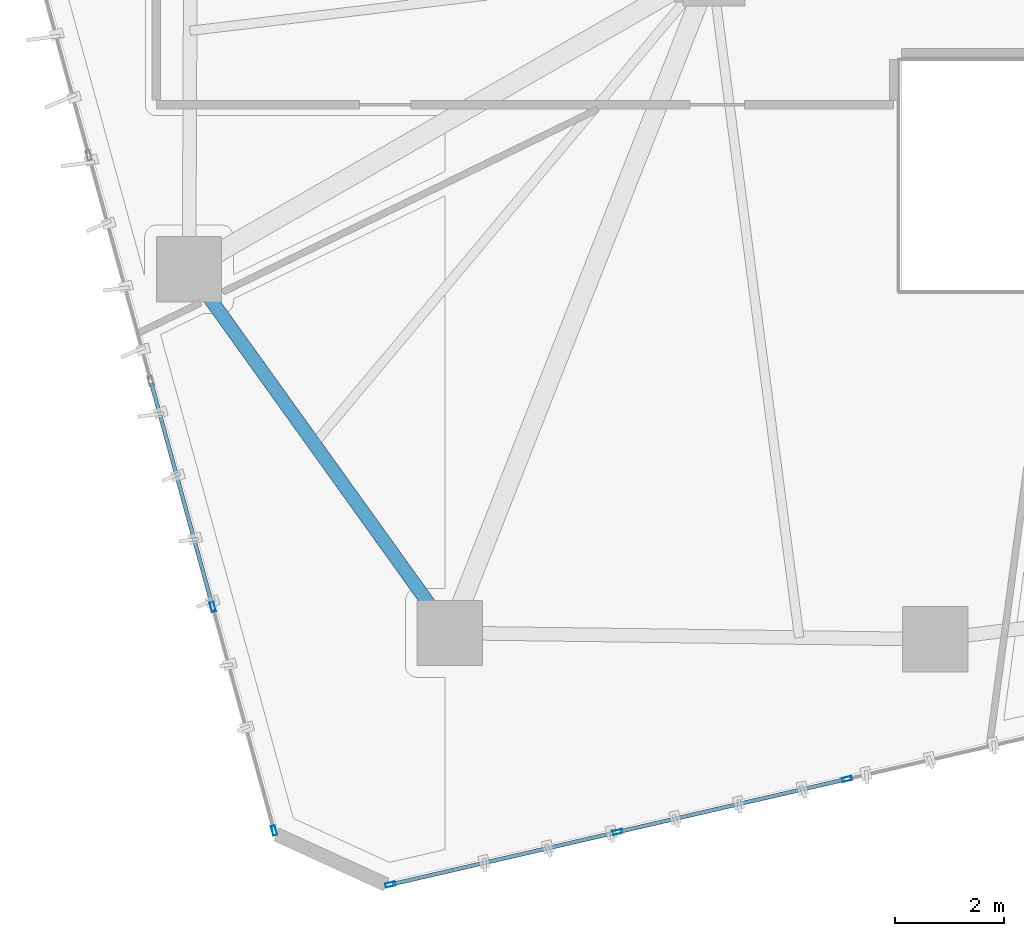
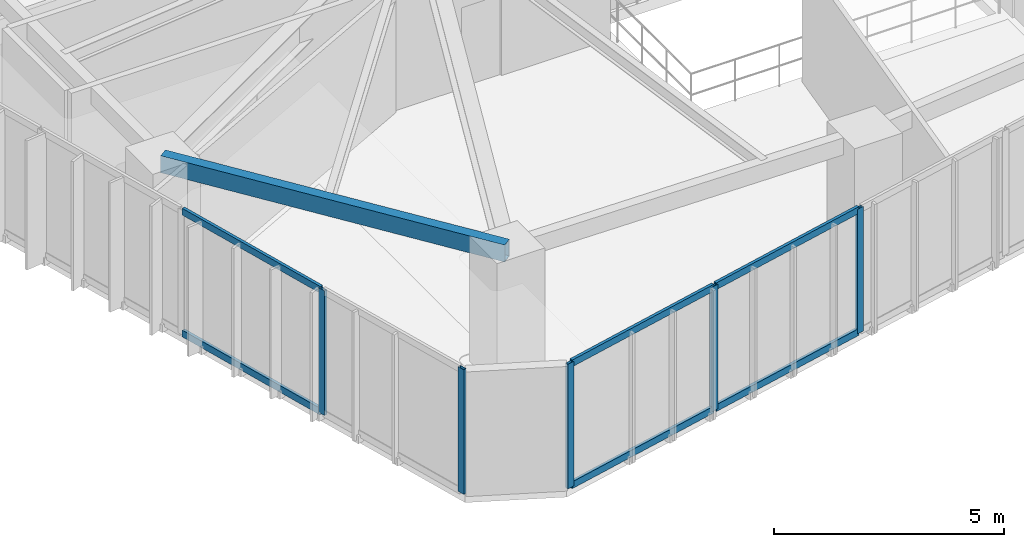
# One storey, part 2 of 21: 11 members, 1 beam, 2 elements without a shape of their own.
"""IFC4 building model written with IfcOpenShell, lengths in metres."""

from ifc_helpers import new_model, si_unit, direction, frame, origin, origin_2d, place, context, subcontext, project, spatial, hollow_rectangle, extrude, source, transform, mapped, material, layer, layer_set, material_profile, profile_set, type_object, type_shapes, element, aggregate, save


model = new_model("IFC4")

# Units and contexts
model_context = context("Model", 3, precision=1e-05, world=origin(), true_north=direction((0.0, 1.0)))
body_context = subcontext(model_context, "Body", "Model", "MODEL_VIEW")
ifc_project = project(units=[si_unit("LENGTHUNIT", "METRE"), si_unit("AREAUNIT", "SQUARE_METRE"), si_unit("VOLUMEUNIT", "CUBIC_METRE"), si_unit("PLANEANGLEUNIT", "RADIAN"), si_unit("MASSUNIT", "GRAM", prefix="KILO")], contexts=[model_context])

# Site, building, storey
site_placement = place(None, origin())
site = spatial("IfcSite", under=ifc_project, at=site_placement, CompositionType="ELEMENT")
building_placement = place(site_placement, origin())
building = spatial("IfcBuilding", under=site, at=building_placement, Name="Talar Marvaseh", CompositionType="ELEMENT")
storey_placement = place(building_placement, frame((0.0, 0.0, 129.0)))
storey = spatial("IfcBuildingStorey", under=building, at=storey_placement, Name="L33", CompositionType="ELEMENT", Elevation=129.0)

# Beam
ifc_material_1 = material(Name="Steel S355", Category="steel")
ifc_material_profile_1 = material_profile(ifc_material_1, hollow_rectangle(XDim=0.25, YDim=0.449951171875, WallThickness=0.01611328125, at=origin_2d()), Name="RHS450x250x16")
ifc_profile_set_1 = profile_set([ifc_material_profile_1], Name="Steel S355")
beam_type = type_object("IfcBeamType", Name="Zone 2 Perimeter Spandrel Beam RHS450x250x16", PredefinedType="SPANDREL", material=ifc_profile_set_1)
beam_placement = place(storey_placement, frame((13.89111328125, 13.299072265625, 3.0849609375), z_axis=(-0.582852871994, 0.812577706812, 0.0), x_axis=(-0.812577706812, -0.582852871994, 0.0)))
element("IfcBeam", 1, at=beam_placement, inside=storey, type_object=beam_type, Name="L33 Zone 2 Perimeter Spandrel Beam RHS450x250x16", PredefinedType="SPANDREL", context=body_context, shape_type="SweptSolid", body=[
    extrude(hollow_rectangle(XDim=0.25, YDim=0.449951171875, WallThickness=0.01611328125, at=origin_2d()), origin(), (0.0, 0.0, 1.0), 8.21826171875),
])

# Curtain wall, members
ifc_material_2 = material(Name="Architectural Aluminium", Category="aluminium")
ifc_layer = layer(ifc_material_2, 0.199951171875)
ifc_layer_set = layer_set([ifc_layer], Name="Architectural Aluminium")
curtain_wall_type = type_object("IfcCurtainWallType", Name="Unitised Acoustic Library Curtain Wall Z2", PredefinedType="NOTDEFINED", material=ifc_layer_set)
curtain_wall_1_placement = place(storey_placement, origin())
curtain_wall_1 = element("IfcCurtainWall", 2, at=curtain_wall_1_placement, inside=storey, type_object=curtain_wall_type, Name="L33 Unitised Acoustic Library Curtain Wall Z2", PredefinedType="NOTDEFINED")
ifc_material_profile_2 = material_profile(ifc_material_2, hollow_rectangle(XDim=0.074951171875, YDim=0.179931640625, WallThickness=0.0048828125, at=origin_2d()), Name="RHS180x75x5")
ifc_profile_set_2 = profile_set([ifc_material_profile_2], Name="Architectural Aluminium")
member_type_1 = type_object("IfcMemberType", Name="Unitised Curtain Wall Standard Mullion RHS180x75x5", PredefinedType="MULLION", material=ifc_profile_set_2)
shared_shape_1 = source(origin(), body_context, "Body", "SweptSolid", [
    extrude(hollow_rectangle(XDim=0.074951171875, YDim=0.179931640625, WallThickness=0.0048828125, at=origin_2d()), origin(), (0.0, 0.0, 1.0), 3.31005859375),
])
type_shapes(member_type_1, [shared_shape_1])
member_1_placement = place(storey_placement, frame((10.6640625, 9.670654296875, 0.0), z_axis=(0.0, 0.0, 1.0), x_axis=(-0.964345274109, -0.264647297933, 0.0)))
member_1 = element("IfcMember", 3, at=member_1_placement, type_object=member_type_1, Name="CW-Z2 mullion 1", PredefinedType="MULLION", context=body_context, shape_type="MappedRepresentation", body=[
    mapped(shared_shape_1, transform((0.0, 0.0, 0.0), x_axis=(1.0, 0.0, 0.0), y_axis=(0.0, 1.0, 0.0), z_axis=(0.0, 0.0, 1.0), scale=1.0)),
])
member_2_placement = place(storey_placement, frame((9.53662109375, 13.779052734375, 0.0), z_axis=(0.0, 0.0, 1.0), x_axis=(-0.964345274109, -0.264647297933, 0.0)))
member_2 = element("IfcMember", 4, at=member_2_placement, type_object=member_type_1, Name="CW-Z2 mullion 2", PredefinedType="MULLION", context=body_context, shape_type="MappedRepresentation", body=[
    mapped(shared_shape_1, transform((0.0, 0.0, 0.0), x_axis=(1.0, 0.0, 0.0), y_axis=(0.0, 1.0, 0.0), z_axis=(0.0, 0.0, 1.0), scale=1.0)),
])

curtain_wall_2_placement = place(storey_placement, origin())
curtain_wall_2 = element("IfcCurtainWall", 5, at=curtain_wall_2_placement, inside=storey, type_object=curtain_wall_type, Name="L33 Unitised Acoustic Library Curtain Wall Z2", PredefinedType="NOTDEFINED")
member_3_placement = place(storey_placement, frame((21.1865234375, 10.616455078125, 0.0), z_axis=(0.0, 0.0, 1.0), x_axis=(0.225103422614, -0.974334875249, 0.0)))
member_3 = element("IfcMember", 6, at=member_3_placement, type_object=member_type_1, Name="CW-Z2 mullion 4", PredefinedType="MULLION", context=body_context, shape_type="MappedRepresentation", body=[
    mapped(shared_shape_1, transform((0.0, 0.0, 0.0), x_axis=(1.0, 0.0, 0.0), y_axis=(0.0, 1.0, 0.0), z_axis=(0.0, 0.0, 1.0), scale=1.0)),
])
member_4_placement = place(storey_placement, frame((16.973876953125, 9.643310546875, 0.0), z_axis=(0.0, 0.0, 1.0), x_axis=(0.225103422614, -0.974334875249, 0.0)))
member_4 = element("IfcMember", 7, at=member_4_placement, type_object=member_type_1, Name="CW-Z2 mullion 5", PredefinedType="MULLION", context=body_context, shape_type="MappedRepresentation", body=[
    mapped(shared_shape_1, transform((0.0, 0.0, 0.0), x_axis=(1.0, 0.0, 0.0), y_axis=(0.0, 1.0, 0.0), z_axis=(0.0, 0.0, 1.0), scale=1.0)),
])
member_5_placement = place(storey_placement, frame((12.7978515625, 8.678466796875, 0.0), z_axis=(0.0, 0.0, 1.0), x_axis=(0.225103422614, -0.974334875249, 0.0)))
member_5 = element("IfcMember", 8, at=member_5_placement, type_object=member_type_1, Name="CW-Z2 mullion 6", PredefinedType="MULLION", context=body_context, shape_type="MappedRepresentation", body=[
    mapped(shared_shape_1, transform((0.0, 0.0, 0.0), x_axis=(1.0, 0.0, 0.0), y_axis=(0.0, 1.0, 0.0), z_axis=(0.0, 0.0, 1.0), scale=1.0)),
])

# Member
ifc_material_profile_3 = material_profile(ifc_material_2, hollow_rectangle(XDim=0.074951171875, YDim=0.179931640625, WallThickness=0.0048828125, at=origin_2d()), Name="RHS180x75x5")
ifc_profile_set_3 = profile_set([ifc_material_profile_3], Name="Architectural Aluminium")
member_type_2 = type_object("IfcMemberType", Name="Unitised Curtain Wall Transom RHS180x75x5", PredefinedType="USERDEFINED", material=ifc_profile_set_3)
shared_shape_2 = source(origin(), body_context, "Body", "SweptSolid", [
    extrude(hollow_rectangle(XDim=0.074951171875, YDim=0.179931640625, WallThickness=0.0048828125, at=origin_2d()), origin(), (0.0, 0.0, 1.0), 4.222900390625),
])
member_6_placement = place(storey_placement, frame((9.52685546875, 13.815185546875, 0.03759765625), z_axis=(-0.264672706319, 0.964338300873, 0.0), x_axis=(-0.964338300873, -0.264672706319, 0.0)))
member_6 = element("IfcMember", 9, at=member_6_placement, type_object=member_type_2, Name="CW-Z2 transom 2.1", ObjectType="TRANSOM", PredefinedType="USERDEFINED", context=body_context, shape_type="MappedRepresentation", body=[
    mapped(shared_shape_2, transform((0.0, 0.0, 0.0), x_axis=(1.0, 0.0, 0.0), y_axis=(0.0, 1.0, 0.0), z_axis=(0.0, 0.0, 1.0), scale=1.0)),
])

member_7_placement = place(storey_placement, frame((9.52685546875, 13.815185546875, 3.2724609375), z_axis=(-0.264672706319, 0.964338300873, 0.0), x_axis=(-0.964338300873, -0.264672706319, 0.0)))
member_7 = element("IfcMember", 10, at=member_7_placement, type_object=member_type_2, Name="CW-Z2 transom 2.2", ObjectType="TRANSOM", PredefinedType="USERDEFINED", context=body_context, shape_type="MappedRepresentation", body=[
    mapped(shared_shape_2, transform((0.0, 0.0, 0.0), x_axis=(1.0, 0.0, 0.0), y_axis=(0.0, 1.0, 0.0), z_axis=(0.0, 0.0, 1.0), scale=1.0)),
])

aggregate(curtain_wall_1, [member_1, member_2, member_6, member_7])

shared_shape_3 = source(origin(), body_context, "Body", "SweptSolid", [
    extrude(hollow_rectangle(XDim=0.074951171875, YDim=0.179931640625, WallThickness=0.0048828125, at=origin_2d()), origin(), (0.0, 0.0, 1.0), 4.211181640625),
])
member_8_placement = place(storey_placement, frame((16.9375, 9.634765625, 0.03759765625), z_axis=(-0.974331557725, -0.225117781664, 0.0), x_axis=(0.225117781664, -0.974331557725, 0.0)))
member_8 = element("IfcMember", 11, at=member_8_placement, type_object=member_type_2, Name="CW-Z2 transom 5.1", ObjectType="TRANSOM", PredefinedType="USERDEFINED", context=body_context, shape_type="MappedRepresentation", body=[
    mapped(shared_shape_3, transform((0.0, 0.0, 0.0), x_axis=(1.0, 0.0, 0.0), y_axis=(0.0, 1.0, 0.0), z_axis=(0.0, 0.0, 1.0), scale=1.0)),
])

member_9_placement = place(storey_placement, frame((16.9375, 9.634765625, 3.2724609375), z_axis=(-0.974331557725, -0.225117781664, 0.0), x_axis=(0.225117781664, -0.974331557725, 0.0)))
member_9 = element("IfcMember", 12, at=member_9_placement, type_object=member_type_2, Name="CW-Z2 transom 5.2", ObjectType="TRANSOM", PredefinedType="USERDEFINED", context=body_context, shape_type="MappedRepresentation", body=[
    mapped(shared_shape_3, transform((0.0, 0.0, 0.0), x_axis=(1.0, 0.0, 0.0), y_axis=(0.0, 1.0, 0.0), z_axis=(0.0, 0.0, 1.0), scale=1.0)),
])

shared_shape_4 = source(origin(), body_context, "Body", "SweptSolid", [
    extrude(hollow_rectangle(XDim=0.074951171875, YDim=0.179931640625, WallThickness=0.0048828125, at=origin_2d()), origin(), (0.0, 0.0, 1.0), 4.24853515625),
])
type_shapes(member_type_2, [shared_shape_2, shared_shape_3, shared_shape_4])
member_10_placement = place(storey_placement, frame((21.14990234375, 10.608154296875, 0.03759765625), z_axis=(-0.974324325027, -0.225149083188, 0.0), x_axis=(0.225149083188, -0.974324325027, 0.0)))
member_10 = element("IfcMember", 13, at=member_10_placement, type_object=member_type_2, Name="CW-Z2 transom 4.1", ObjectType="TRANSOM", PredefinedType="USERDEFINED", context=body_context, shape_type="MappedRepresentation", body=[
    mapped(shared_shape_4, transform((0.0, 0.0, 0.0), x_axis=(1.0, 0.0, 0.0), y_axis=(0.0, 1.0, 0.0), z_axis=(0.0, 0.0, 1.0), scale=1.0)),
])

member_11_placement = place(storey_placement, frame((21.14990234375, 10.608154296875, 3.2724609375), z_axis=(-0.974324325027, -0.225149083188, 0.0), x_axis=(0.225149083188, -0.974324325027, 0.0)))
member_11 = element("IfcMember", 14, at=member_11_placement, type_object=member_type_2, Name="CW-Z2 transom 4.2", ObjectType="TRANSOM", PredefinedType="USERDEFINED", context=body_context, shape_type="MappedRepresentation", body=[
    mapped(shared_shape_4, transform((0.0, 0.0, 0.0), x_axis=(1.0, 0.0, 0.0), y_axis=(0.0, 1.0, 0.0), z_axis=(0.0, 0.0, 1.0), scale=1.0)),
])

aggregate(curtain_wall_2, [member_3, member_4, member_5, member_10, member_11, member_8, member_9])

save(model, "model.ifc")
